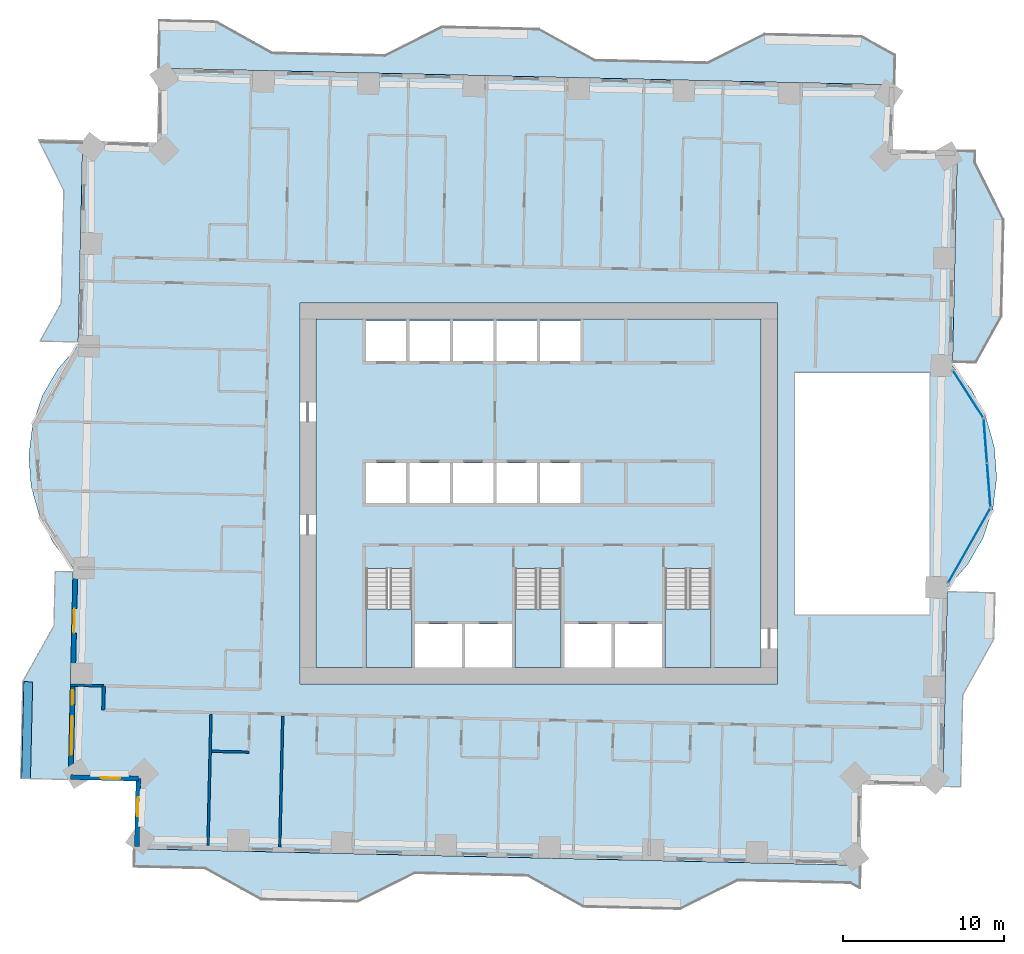
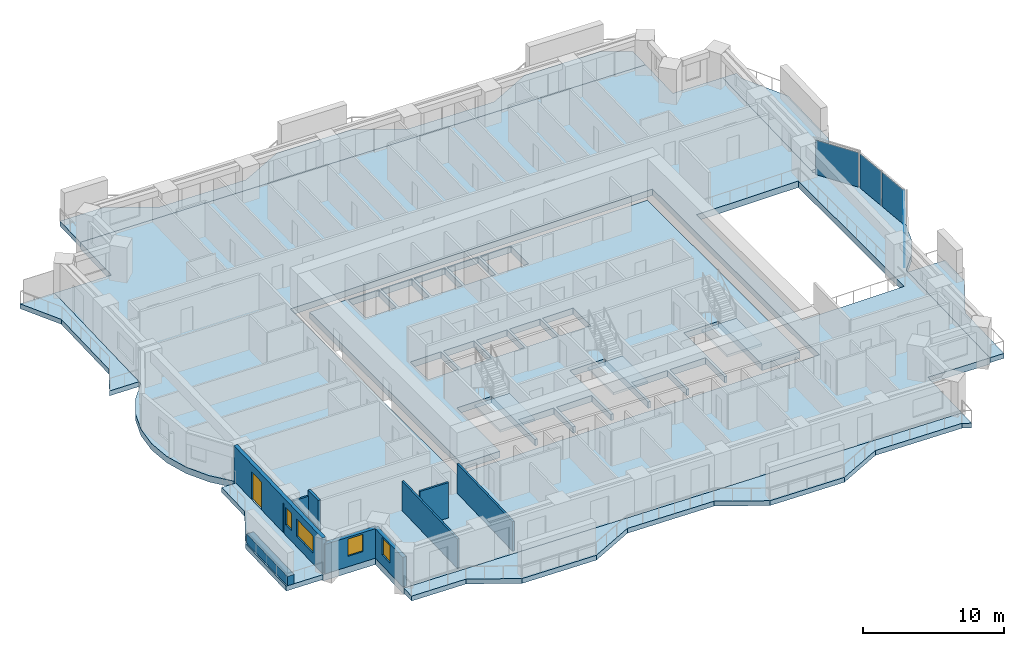
# One storey, part 5 of 16: 11 slabs, 9 walls, 4 plates, 4 windows, 1 door, 5 openings, 6 elements without a shape of their own.
"""IFC4 building model written with IfcOpenShell, lengths in metres."""

from ifc_helpers import new_model, si_unit, direction, frame, frame_2d, origin, origin_2d, place, context, subcontext, project, spatial, polyline, rectangle, outline, extrude, material, layer, layer_set, type_object, element, fill, aggregate, save


model = new_model("IFC4")

# Units and contexts
model_context = context("Model", 3, precision=1e-05, world=origin(), true_north=direction((0.0, 1.0)))
body_context = subcontext(model_context, "Body", "Model", "MODEL_VIEW")
ifc_project = project(units=[si_unit("LENGTHUNIT", "METRE"), si_unit("AREAUNIT", "SQUARE_METRE"), si_unit("VOLUMEUNIT", "CUBIC_METRE"), si_unit("PLANEANGLEUNIT", "RADIAN"), si_unit("MASSUNIT", "GRAM", prefix="KILO")], contexts=[model_context])

# Site, building, storey
site_placement = place(None, origin())
site = spatial("IfcSite", under=ifc_project, at=site_placement, CompositionType="ELEMENT")
building_placement = place(site_placement, origin())
building = spatial("IfcBuilding", under=site, at=building_placement, Name="Mangrove Gate Tower", CompositionType="ELEMENT")
storey_placement = place(building_placement, frame((0.0, 0.0, 112.699951171875)))
storey = spatial("IfcBuildingStorey", under=building, at=storey_placement, Name="L28", CompositionType="ELEMENT", Elevation=112.699951171875)

# Curtain wall, plate
ifc_material_1 = material(Name="Aluminium and glass curtain wall", Category="aluminium")
curtain_wall_type = type_object("IfcCurtainWallType", Name="Atrium garden-court glazing wall", PredefinedType="NOTDEFINED", material=ifc_material_1)
curtain_wall_1_placement = place(storey_placement, origin())
curtain_wall_1 = element("IfcCurtainWall", 1, at=curtain_wall_1_placement, inside=storey, type_object=curtain_wall_type, Name="Atrium garden-court glazing E1f1", PredefinedType="NOTDEFINED")
ifc_material_2 = material(Name="Laminated low-e glass", Category="glass")
ifc_layer_1 = layer(ifc_material_2, 0.031982421875)
ifc_layer_set_1 = layer_set([ifc_layer_1], Name="Atrium garden-court glazing panel 32")
plate_type = type_object("IfcPlateType", Name="Atrium garden-court glazing panel 32", PredefinedType="CURTAIN_PANEL", material=ifc_layer_set_1)
plate_1_placement = place(storey_placement, frame((26.68603515625, -3.244873046875, 0.0), z_axis=(0.0, 0.0, 1.0), x_axis=(0.492584614745, 0.870264555935, 0.0)))
plate_1 = element("IfcPlate", 2, at=plate_1_placement, type_object=plate_type, Name="CWA panel 1.1", PredefinedType="CURTAIN_PANEL", context=body_context, shape_type="SweptSolid", body=[
    extrude(rectangle(XDim=5.258056640625, YDim=0.031982421875, at=origin_2d()), origin(), (0.0, 0.0, 1.0), 2.97998046875),
])
aggregate(curtain_wall_1, [plate_1])

# Curtain wall, plates
curtain_wall_2_placement = place(storey_placement, origin())
curtain_wall_2 = element("IfcCurtainWall", 3, at=curtain_wall_2_placement, inside=storey, type_object=curtain_wall_type, Name="Atrium garden-court glazing E1f2", PredefinedType="NOTDEFINED")
plate_2_placement = place(storey_placement, frame((27.906982421875, 0.5107421875, 0.0), z_axis=(0.0, 0.0, 1.0), x_axis=(-0.077023348229, 0.997029289353, 0.0)))
plate_2 = element("IfcPlate", 4, at=plate_2_placement, type_object=plate_type, Name="CWA panel 1.1", PredefinedType="CURTAIN_PANEL", context=body_context, shape_type="SweptSolid", body=[
    extrude(rectangle(XDim=2.681640625, YDim=0.031982421875, at=origin_2d()), origin(), (0.0, 0.0, 1.0), 2.97998046875),
])
plate_3_placement = place(storey_placement, frame((27.69482421875, 3.25439453125, 0.0), z_axis=(0.0, 0.0, 1.0), x_axis=(-0.077023348229, 0.997029289353, 0.0)))
plate_3 = element("IfcPlate", 5, at=plate_3_placement, type_object=plate_type, Name="CWA panel 2.1", PredefinedType="CURTAIN_PANEL", context=body_context, shape_type="SweptSolid", body=[
    extrude(rectangle(XDim=2.681640625, YDim=0.031982421875, at=origin_2d()), origin(), (0.0, 0.0, 1.0), 2.97998046875),
])
aggregate(curtain_wall_2, [plate_2, plate_3])

# Curtain wall, plate
curtain_wall_3_placement = place(storey_placement, origin())
curtain_wall_3 = element("IfcCurtainWall", 6, at=curtain_wall_3_placement, inside=storey, type_object=curtain_wall_type, Name="Atrium garden-court glazing E1f3", PredefinedType="NOTDEFINED")
plate_4_placement = place(storey_placement, frame((26.621826171875, 6.162109375, 0.0), z_axis=(0.0, 0.0, 1.0), x_axis=(-0.540510523896, 0.841337253162, 0.0)))
plate_4 = element("IfcPlate", 7, at=plate_4_placement, type_object=plate_type, Name="CWA panel 1.1", PredefinedType="CURTAIN_PANEL", context=body_context, shape_type="SweptSolid", body=[
    extrude(rectangle(XDim=3.428466796875, YDim=0.031982421875, at=origin_2d()), origin(), (0.0, 0.0, 1.0), 2.97998046875),
])
aggregate(curtain_wall_3, [plate_4])

# Slabs
ifc_material_3 = material(Name="Porcelain tile")
ifc_layer_2 = layer(ifc_material_3, 0.02001953125, Name="Tile finish")
ifc_material_4 = material(Name="Cement sand screed")
ifc_layer_3 = layer(ifc_material_4, 0.0400390625, Name="Screed laid to falls")
ifc_material_5 = material(Name="Bituminous waterproofing membrane")
ifc_layer_4 = layer(ifc_material_5, 0.00390625, Name="Waterproofing")
ifc_material_6 = material(Name="Concrete C40/50", Category="concrete")
ifc_layer_5 = layer(ifc_material_6, 0.340087890625, Name="Balcony structural slab")
ifc_material_7 = material(Name="Limestone", Category="masonry")
ifc_layer_6 = layer(ifc_material_7, 0.01611328125, Name="Soffit lining")
ifc_layer_set_2 = layer_set([ifc_layer_2, ifc_layer_3, ifc_layer_4, ifc_layer_5, ifc_layer_6], Name="Balcony slab 420 C40/50")
slab_type_1 = type_object("IfcSlabType", Name="Balcony slab 420 C40/50", PredefinedType="FLOOR", material=ifc_layer_set_2)
slab_1_placement = place(storey_placement, frame((0.0, 0.0, -0.419921875)))
element("IfcSlab", 8, at=slab_1_placement, inside=storey, type_object=slab_type_1, Name="BALCONY L28 E0", PredefinedType="FLOOR", context=body_context, shape_type="SweptSolid", body=[
    extrude(outline(polyline([(26.200927734375, -18.18603515625), (26.330078125, -12.487060546875), (28.259033203125, -9.030029296875), (28.324951171875, -6.156005859375), (25.3349609375, -6.087890625), (25.27001953125, -8.9619140625), (25.19091796875, -12.4609375), (25.06103515625, -18.159912109375), (26.200927734375, -18.18603515625)])), origin(), (0.0, 0.0, 1.0), 0.419921875),
])
slab_2_placement = place(storey_placement, frame((0.0, 0.0, -0.419921875)))
element("IfcSlab", 9, at=slab_2_placement, inside=storey, type_object=slab_type_1, Name="BALCONY L28 E1", PredefinedType="FLOOR", context=body_context, shape_type="SweptSolid", body=[
    extrude(outline(polyline([(27.12890625, 8.125), (28.712890625, 10.965087890625), (28.84912109375, 16.962890625), (27.0791015625, 20.50390625), (27.094970703125, 21.2041015625), (25.955078125, 21.22998046875), (25.93896484375, 20.530029296875), (25.860107421875, 17.031005859375), (25.72412109375, 11.032958984375), (25.658935546875, 8.158935546875), (27.12890625, 8.125)])), origin(), (0.0, 0.0, 1.0), 0.419921875),
])
slab_3_placement = place(storey_placement, frame((0.0, 0.0, -0.419921875)))
element("IfcSlab", 10, at=slab_3_placement, inside=storey, type_object=slab_type_1, Name="BALCONY L28 N0", PredefinedType="FLOOR", context=body_context, shape_type="SweptSolid", body=[
    extrude(outline(polyline([(22.090087890625, 27.197021484375), (20.010986328125, 28.35693359375), (14.012939453125, 28.492919921875), (10.471923828125, 26.722900390625), (3.47412109375, 26.881103515625), (0.01708984375, 28.81005859375), (-5.98193359375, 28.946044921875), (-9.52294921875, 27.177001953125), (-16.52099609375, 27.3349609375), (-19.97802734375, 29.263916015625), (-23.48095703125, 29.343994140625), (-23.549072265625, 26.35400390625), (3.447998046875, 25.741943359375), (22.047119140625, 25.320068359375), (22.090087890625, 27.197021484375)])), origin(), (0.0, 0.0, 1.0), 0.419921875),
])
slab_4_placement = place(storey_placement, frame((0.0, 0.0, -0.419921875)))
element("IfcSlab", 11, at=slab_4_placement, inside=storey, type_object=slab_type_1, Name="BALCONY L28 W0", PredefinedType="FLOOR", context=body_context, shape_type="SweptSolid", body=[
    extrude(outline(polyline([(-31.030029296875, 21.923095703125), (-29.4619140625, 18.787109375), (-29.62109375, 11.7880859375), (-30.929931640625, 9.443115234375), (-28.534912109375, 9.387939453125), (-28.48095703125, 11.761962890625), (-28.322998046875, 18.760986328125), (-28.251953125, 21.860107421875), (-31.030029296875, 21.923095703125)])), origin(), (0.0, 0.0, 1.0), 0.419921875),
])
slab_5_placement = place(storey_placement, frame((0.0, 0.0, -0.419921875)))
element("IfcSlab", 12, at=slab_5_placement, inside=storey, type_object=slab_type_1, Name="BALCONY L28 W1", PredefinedType="FLOOR", context=body_context, shape_type="SweptSolid", body=[
    extrude(outline(polyline([(-29.998046875, -4.8330078125), (-30.074951171875, -8.20703125), (-32.00390625, -11.6640625), (-32.139892578125, -17.662109375), (-29.15087890625, -17.72998046875), (-29.014892578125, -11.73095703125), (-28.93505859375, -8.23193359375), (-28.85888671875, -4.85888671875), (-29.998046875, -4.8330078125)])), origin(), (0.0, 0.0, 1.0), 0.419921875),
])
slab_6_placement = place(storey_placement, frame((0.0, 0.0, -0.419921875)))
element("IfcSlab", 13, at=slab_6_placement, inside=storey, type_object=slab_type_1, Name="BALCONY L28 S0", PredefinedType="FLOOR", context=body_context, shape_type="SweptSolid", body=[
    extrude(outline(polyline([(-25.072998046875, -23.1640625), (-20.669921875, -23.263916015625), (-17.212890625, -25.193115234375), (-11.215087890625, -25.3291015625), (-7.673095703125, -23.55908203125), (-2.574951171875, -23.674072265625), (-0.675048828125, -23.718017578125), (2.781982421875, -25.64599609375), (8.780029296875, -25.782958984375), (12.321044921875, -24.012939453125), (19.320068359375, -24.1708984375), (19.916015625, -24.50390625), (19.948974609375, -23.044921875), (-25.047119140625, -22.02392578125), (-25.072998046875, -23.1640625)])), origin(), (0.0, 0.0, 1.0), 0.419921875),
])
ifc_material_8 = material(Name="Concrete C40/50", Category="concrete")
ifc_layer_7 = layer(ifc_material_8, 0.550048828125)
ifc_layer_set_3 = layer_set([ifc_layer_7], Name="Core floor slab 550 C40/50")
slab_type_2 = type_object("IfcSlabType", Name="Core floor slab 550 C40/50", PredefinedType="FLOOR", material=ifc_layer_set_3)
slab_7_placement = place(storey_placement, frame((0.0, 0.0, -0.550048828125)))
element("IfcSlab", 14, at=slab_7_placement, inside=storey, type_object=slab_type_2, Name="SLAB-L28-CORE-1", PredefinedType="FLOOR", context=body_context, shape_type="SweptSolid", body=[
    extrude(outline(polyline([(-13.800048828125, -10.800048828125), (-13.800048828125, 10.800048828125), (13.800048828125, 10.800048828125), (13.800048828125, -10.800048828125), (10.699951171875, -10.800048828125), (10.699951171875, -4.653076171875), (7.85009765625, -4.653076171875), (7.85009765625, -10.800048828125), (7.64990234375, -10.800048828125), (7.64990234375, -8.10009765625), (4.72509765625, -8.10009765625), (4.72509765625, -10.800048828125), (4.52490234375, -10.800048828125), (4.52490234375, -8.10009765625), (1.60009765625, -8.10009765625), (1.60009765625, -10.800048828125), (1.39990234375, -10.800048828125), (1.39990234375, -4.653076171875), (-1.449951171875, -4.653076171875), (-1.449951171875, -10.800048828125), (-1.64990234375, -10.800048828125), (-1.64990234375, -8.10009765625), (-4.550048828125, -8.10009765625), (-4.550048828125, -10.800048828125), (-4.75, -10.800048828125), (-4.75, -8.10009765625), (-7.64990234375, -8.10009765625), (-7.64990234375, -10.800048828125), (-7.85009765625, -10.800048828125), (-7.85009765625, -4.653076171875), (-10.699951171875, -4.653076171875), (-10.699951171875, -10.800048828125), (-13.800048828125, -10.800048828125)]), holes=[polyline([(-8.199951171875, -0.60009765625), (-8.199951171875, 1.89990234375), (-10.699951171875, 1.89990234375), (-10.699951171875, -0.60009765625), (-8.199951171875, -0.60009765625)]), polyline([(-5.5, -0.60009765625), (-5.5, 1.89990234375), (-8.0, 1.89990234375), (-8.0, -0.60009765625), (-5.5, -0.60009765625)]), polyline([(-2.800048828125, -0.60009765625), (-2.800048828125, 1.89990234375), (-5.300048828125, 1.89990234375), (-5.300048828125, -0.60009765625), (-2.800048828125, -0.60009765625)]), polyline([(-8.199951171875, 8.199951171875), (-8.199951171875, 10.699951171875), (-10.699951171875, 10.699951171875), (-10.699951171875, 8.199951171875), (-8.199951171875, 8.199951171875)]), polyline([(-5.5, 8.199951171875), (-5.5, 10.699951171875), (-8.0, 10.699951171875), (-8.0, 8.199951171875), (-5.5, 8.199951171875)]), polyline([(-2.800048828125, 8.199951171875), (-2.800048828125, 10.699951171875), (-5.300048828125, 10.699951171875), (-5.300048828125, 8.199951171875), (-2.800048828125, 8.199951171875)]), polyline([(-0.10009765625, -0.60009765625), (-0.10009765625, 1.89990234375), (-2.60009765625, 1.89990234375), (-2.60009765625, -0.60009765625), (-0.10009765625, -0.60009765625)]), polyline([(2.60009765625, -0.60009765625), (2.60009765625, 1.89990234375), (0.10009765625, 1.89990234375), (0.10009765625, -0.60009765625), (2.60009765625, -0.60009765625)]), polyline([(-2.60009765625, 8.199951171875), (-0.10009765625, 8.199951171875), (-0.10009765625, 10.699951171875), (-2.60009765625, 10.699951171875), (-2.60009765625, 8.199951171875)]), polyline([(0.10009765625, 8.199951171875), (2.60009765625, 8.199951171875), (2.60009765625, 10.699951171875), (0.10009765625, 10.699951171875), (0.10009765625, 8.199951171875)])]), origin(), (0.0, 0.0, 1.0), 0.550048828125),
])

# Stair, slab
ifc_material_9 = material(Name="Concrete C40/50", Category="concrete")
stair_type = type_object("IfcStairType", Name="Core stair 1350", PredefinedType="HALF_TURN_STAIR", material=ifc_material_9)
stair_1_placement = place(storey_placement, origin())
stair_1 = element("IfcStair", 15, at=stair_1_placement, inside=storey, type_object=stair_type, Name="L28 Stair 1", PredefinedType="HALF_TURN_STAIR")
ifc_material_10 = material(Name="Concrete C40/50", Category="concrete")
ifc_layer_8 = layer(ifc_material_10, 0.199951171875)
ifc_layer_set_4 = layer_set([ifc_layer_8], Name="Core stair landing 200")
slab_type_3 = type_object("IfcSlabType", Name="Core stair landing 200", PredefinedType="LANDING", material=ifc_layer_set_4)
slab_8_placement = place(storey_placement, frame((0.0, 0.0, 1.60009765625)))
slab_8 = element("IfcSlab", 16, at=slab_8_placement, type_object=slab_type_3, Name="ST1 landing 1", PredefinedType="LANDING", context=body_context, shape_type="SweptSolid", body=[
    extrude(outline(polyline([(-10.699951171875, -7.169921875), (-10.699951171875, -10.800048828125), (-7.85009765625, -10.800048828125), (-7.85009765625, -7.169921875), (-10.699951171875, -7.169921875)])), origin(), (0.0, 0.0, 1.0), 0.199951171875),
])
aggregate(stair_1, [slab_8])

stair_2_placement = place(storey_placement, origin())
stair_2 = element("IfcStair", 17, at=stair_2_placement, inside=storey, type_object=stair_type, Name="L28 Stair 2", PredefinedType="HALF_TURN_STAIR")
slab_9_placement = place(storey_placement, frame((0.0, 0.0, 1.60009765625)))
slab_9 = element("IfcSlab", 18, at=slab_9_placement, type_object=slab_type_3, Name="ST2 landing 1", PredefinedType="LANDING", context=body_context, shape_type="SweptSolid", body=[
    extrude(outline(polyline([(-1.449951171875, -7.169921875), (-1.449951171875, -10.800048828125), (1.39990234375, -10.800048828125), (1.39990234375, -7.169921875), (-1.449951171875, -7.169921875)])), origin(), (0.0, 0.0, 1.0), 0.199951171875),
])
aggregate(stair_2, [slab_9])

stair_3_placement = place(storey_placement, origin())
stair_3 = element("IfcStair", 19, at=stair_3_placement, inside=storey, type_object=stair_type, Name="L28 Stair 3", PredefinedType="HALF_TURN_STAIR")
slab_10_placement = place(storey_placement, frame((0.0, 0.0, 1.60009765625)))
slab_10 = element("IfcSlab", 20, at=slab_10_placement, type_object=slab_type_3, Name="ST3 landing 1", PredefinedType="LANDING", context=body_context, shape_type="SweptSolid", body=[
    extrude(outline(polyline([(7.85009765625, -7.169921875), (7.85009765625, -10.800048828125), (10.699951171875, -10.800048828125), (10.699951171875, -7.169921875), (7.85009765625, -7.169921875)])), origin(), (0.0, 0.0, 1.0), 0.199951171875),
])
aggregate(stair_3, [slab_10])

# Slab
ifc_material_11 = material(Name="Concrete C40/50", Category="concrete")
ifc_layer_9 = layer(ifc_material_11, 0.550048828125)
ifc_layer_set_5 = layer_set([ifc_layer_9], Name="Floor slab 550 C40/50")
slab_type_4 = type_object("IfcSlabType", Name="Floor slab 550 C40/50", PredefinedType="FLOOR", material=ifc_layer_set_5)
slab_11_placement = place(storey_placement, frame((0.0, 0.0, -0.550048828125)))
element("IfcSlab", 21, at=slab_11_placement, inside=storey, type_object=slab_type_4, Name="Floor slab L28", PredefinedType="FLOOR", context=body_context, shape_type="SweptSolid", body=[
    extrude(outline(polyline([(-25.047119140625, -22.024169921875), (19.94921875, -23.045166015625), (20.062744140625, -18.046630859375), (25.0615234375, -18.159912109375), (25.341064453125, -5.83837890625), (26.60400390625, -4.40185546875), (27.55712890625, -2.74365234375), (28.16259765625, -0.92919921875), (28.396240234375, 0.96923828125), (28.2490234375, 2.87646484375), (27.7265625, 4.71630859375), (26.849609375, 6.416259765625), (25.653076171875, 7.90869140625), (25.955322265625, 21.22998046875), (21.956298828125, 21.320556640625), (22.047119140625, 25.319580078125), (-23.549072265625, 26.354248046875), (-23.653564453125, 21.755615234375), (-28.25244140625, 21.85986328125), (-28.541015625, 9.138427734375), (-29.803955078125, 7.701904296875), (-30.757080078125, 6.043701171875), (-31.362548828125, 4.229248046875), (-31.59619140625, 2.330810546875), (-31.448974609375, 0.423583984375), (-30.926513671875, -1.41650390625), (-30.049560546875, -3.1162109375), (-28.85302734375, -4.608642578125), (-29.15087890625, -17.72998046875), (-24.951904296875, -17.8251953125), (-25.047119140625, -22.024169921875)]), holes=[polyline([(15.89990234375, 7.5), (24.22705078125, 7.5), (24.22705078125, -7.5), (15.89990234375, -7.5), (15.89990234375, 7.5)]), polyline([(-14.800048828125, -11.800048828125), (-14.800048828125, 11.800048828125), (14.800048828125, 11.800048828125), (14.800048828125, -11.800048828125), (-14.800048828125, -11.800048828125)])]), origin(), (0.0, 0.0, 1.0), 0.550048828125),
])

# Wall
ifc_material_12 = material(Name="Gypsum board on steel stud, EI 60", Category="steel")
ifc_layer_10 = layer(ifc_material_12, 0.199951171875)
ifc_layer_set_6 = layer_set([ifc_layer_10], Name="Corridor wall EI 60")
wall_type_1 = type_object("IfcWallType", Name="Corridor wall EI 60", PredefinedType="PARTITIONING", material=ifc_layer_set_6)
wall_1_placement = place(storey_placement, frame((-26.97900390625, -13.427978515625, 0.0), z_axis=(0.0, 0.0, 1.0), x_axis=(0.022617910375, 0.999744182344, 0.0)))
element("IfcWall", 22, at=wall_1_placement, inside=storey, type_object=wall_type_1, Name="WALL-L28-025", PredefinedType="PARTITIONING", context=body_context, shape_type="SweptSolid", body=[
    extrude(rectangle(XDim=1.50048828125, YDim=0.199951171875, at=frame_2d((0.750244140625, 0.0))), origin(), (0.0, 0.0, 1.0), 3.050048828125),
])

# Wall, openings, door, windows
ifc_layer_11 = layer(ifc_material_7, 0.0400390625, Name="Limestone cladding")
ifc_material_13 = material(Name="Ventilated air gap")
ifc_layer_12 = layer(ifc_material_13, 0.0400390625, Name="Ventilated cavity")
ifc_material_14 = material(Name="Mineral wool insulation")
ifc_layer_13 = layer(ifc_material_14, 0.06005859375, Name="Insulation")
ifc_material_15 = material(Name="Breather membrane")
ifc_layer_14 = layer(ifc_material_15, 0.001953125, Name="Breather membrane")
ifc_material_16 = material(Name="Concrete C20/25 blockwork", Category="masonry")
ifc_layer_15 = layer(ifc_material_16, 0.14990234375, Name="Blockwork backing wall")
ifc_material_17 = material(Name="Gypsum plaster")
ifc_layer_16 = layer(ifc_material_17, 0.008056640625, Name="Internal plaster")
ifc_layer_set_7 = layer_set([ifc_layer_11, ifc_layer_12, ifc_layer_13, ifc_layer_14, ifc_layer_15, ifc_layer_16], Name="External wall 300 limestone cladding")
wall_type_2 = type_object("IfcWallType", Name="External wall 300 limestone cladding", PredefinedType="SOLIDWALL", material=ifc_layer_set_7)
wall_2_placement = place(storey_placement, frame((-28.701904296875, -4.556884765625, 0.0), z_axis=(0.0, 0.0, 1.0), x_axis=(-0.022653729471, -0.999743371341, 0.0)))
wall_2 = element("IfcWall", 23, at=wall_2_placement, inside=storey, type_object=wall_type_2, Name="WALL-L28-W10", PredefinedType="SOLIDWALL", context=body_context, shape_type="SweptSolid", body=[
    extrude(rectangle(XDim=13.029541015625, YDim=0.300048828125, at=frame_2d((6.5146484375, 0.0))), origin(), (0.0, 0.0, 1.0), 3.050048828125),
])
opening_1_placement = place(wall_2_placement, frame((2.5859375, 0.0, 0.0)))
opening_1 = element("IfcOpeningElement", 24, at=opening_1_placement, cuts=wall_2, Name="Opening BD1", PredefinedType="OPENING", context=body_context, shape_type="SweptSolid", body=[
    extrude(rectangle(XDim=1.5, YDim=2.39990234375, at=frame_2d((0.75, 1.199951171875))), frame((0.0, 0.159912109375, 0.0), z_axis=(0.0, -1.0, 0.0), x_axis=(1.0, 0.0, 0.0)), (0.0, 0.0, 1.0), 0.320068359375),
])
opening_2_placement = place(wall_2_placement, frame((7.62890625, 0.0, 0.89990234375)))
opening_2 = element("IfcOpeningElement", 25, at=opening_2_placement, cuts=wall_2, Name="Opening W5", PredefinedType="OPENING", context=body_context, shape_type="SweptSolid", body=[
    extrude(rectangle(XDim=0.89990234375, YDim=1.5, at=frame_2d((0.449951171875, 0.75))), frame((0.0, 0.159912109375, 0.0), z_axis=(0.0, -1.0, 0.0), x_axis=(1.0, 0.0, 0.0)), (0.0, 0.0, 1.0), 0.320068359375),
])
opening_3_placement = place(wall_2_placement, frame((9.256103515625, 0.0, 0.89990234375)))
opening_3 = element("IfcOpeningElement", 26, at=opening_3_placement, cuts=wall_2, Name="Opening W2", PredefinedType="OPENING", context=body_context, shape_type="SweptSolid", body=[
    extrude(rectangle(XDim=2.39990234375, YDim=1.5, at=frame_2d((1.199951171875, 0.75))), frame((0.0, 0.159912109375, 0.0), z_axis=(0.0, -1.0, 0.0), x_axis=(1.0, 0.0, 0.0)), (0.0, 0.0, 1.0), 0.320068359375),
])
ifc_material_18 = material(Name="Aluminium frame with laminated clear glass", Category="aluminium")
door_type = type_object("IfcDoorType", Name="Balcony sliding door 1500x2400", OperationType="SLIDING_TO_LEFT", PredefinedType="DOOR", material=ifc_material_18)
door_placement = place(opening_1_placement, origin())
door = element("IfcDoor", 27, at=door_placement, inside=storey, type_object=door_type, Name="DOOR-L28-W10-1", OperationType="SLIDING_TO_LEFT", OverallHeight=2.39990234375, OverallWidth=1.5, PredefinedType="DOOR", context=body_context, shape_type="SweptSolid", body=[
    extrude(rectangle(XDim=1.5, YDim=2.39990234375, at=frame_2d((0.75, 1.199951171875))), frame((0.0, 0.02490234375, 0.0), z_axis=(0.0, -1.0, 0.0), x_axis=(1.0, 0.0, 0.0)), (0.0, 0.0, 1.0), 0.050048828125),
])
fill(opening_1, door)
ifc_material_19 = material(Name="Aluminium frame with double-glazed low-e glass", Category="aluminium")
window_type_1 = type_object("IfcWindowType", Name="Corner room window 2400x1500", PartitioningType="DOUBLE_PANEL_VERTICAL", PredefinedType="WINDOW", material=ifc_material_19)
window_1_placement = place(opening_3_placement, origin())
window_1 = element("IfcWindow", 28, at=window_1_placement, inside=storey, type_object=window_type_1, Name="WIN-L28-W10-3", OverallHeight=1.5, OverallWidth=2.39990234375, PartitioningType="DOUBLE_PANEL_VERTICAL", PredefinedType="WINDOW", context=body_context, shape_type="SweptSolid", body=[
    extrude(rectangle(XDim=2.39990234375, YDim=1.5, at=frame_2d((1.199951171875, 0.75))), frame((0.0, 0.030029296875, 0.0), z_axis=(0.0, -1.0, 0.0), x_axis=(1.0, 0.0, 0.0)), (0.0, 0.0, 1.0), 0.06005859375),
])
fill(opening_3, window_1)
ifc_material_20 = material(Name="Aluminium frame with double-glazed low-e glass", Category="aluminium")
window_type_2 = type_object("IfcWindowType", Name="Narrow window 900x1500", PartitioningType="SINGLE_PANEL", PredefinedType="WINDOW", material=ifc_material_20)
window_2_placement = place(opening_2_placement, origin())
window_2 = element("IfcWindow", 29, at=window_2_placement, inside=storey, type_object=window_type_2, Name="WIN-L28-W10-2", OverallHeight=1.5, OverallWidth=0.89990234375, PartitioningType="SINGLE_PANEL", PredefinedType="WINDOW", context=body_context, shape_type="SweptSolid", body=[
    extrude(rectangle(XDim=0.89990234375, YDim=1.5, at=frame_2d((0.449951171875, 0.75))), frame((0.0, 0.030029296875, 0.0), z_axis=(0.0, -1.0, 0.0), x_axis=(1.0, 0.0, 0.0)), (0.0, 0.0, 1.0), 0.06005859375),
])
fill(opening_2, window_2)

# Wall, opening, window
wall_3_placement = place(storey_placement, frame((-28.9970703125, -17.5830078125, 0.0), z_axis=(0.0, 0.0, 1.0), x_axis=(0.999739037152, -0.022844202663, 0.0)))
wall_3 = element("IfcWall", 30, at=wall_3_placement, inside=storey, type_object=wall_type_2, Name="WALL-L28-S11", PredefinedType="SOLIDWALL", context=body_context, shape_type="SweptSolid", body=[
    extrude(rectangle(XDim=4.199951171875, YDim=0.300048828125, at=frame_2d((2.10009765625, 0.0))), origin(), (0.0, 0.0, 1.0), 2.550048828125),
])
opening_4_placement = place(wall_3_placement, frame((1.862060546875, 0.0, 0.89990234375)))
opening_4 = element("IfcOpeningElement", 31, at=opening_4_placement, cuts=wall_3, Name="Opening W1", PredefinedType="OPENING", context=body_context, shape_type="SweptSolid", body=[
    extrude(rectangle(XDim=1.199951171875, YDim=1.5, at=frame_2d((0.60009765625, 0.75))), frame((0.0, 0.159912109375, 0.0), z_axis=(0.0, -1.0, 0.0), x_axis=(1.0, 0.0, 0.0)), (0.0, 0.0, 1.0), 0.320068359375),
])
ifc_material_21 = material(Name="Aluminium frame with double-glazed low-e glass", Category="aluminium")
window_type_3 = type_object("IfcWindowType", Name="Side lite 1200x1500", PartitioningType="SINGLE_PANEL", PredefinedType="WINDOW", material=ifc_material_21)
window_3_placement = place(opening_4_placement, origin())
window_3 = element("IfcWindow", 32, at=window_3_placement, inside=storey, type_object=window_type_3, Name="WIN-L28-S11-1", OverallHeight=1.5, OverallWidth=1.199951171875, PartitioningType="SINGLE_PANEL", PredefinedType="WINDOW", context=body_context, shape_type="SweptSolid", body=[
    extrude(rectangle(XDim=1.199951171875, YDim=1.5, at=frame_2d((0.60009765625, 0.75))), frame((0.0, 0.030029296875, 0.0), z_axis=(0.0, -1.0, 0.0), x_axis=(1.0, 0.0, 0.0)), (0.0, 0.0, 1.0), 0.06005859375),
])
fill(opening_4, window_3)

wall_4_placement = place(storey_placement, frame((-24.798095703125, -17.678955078125, 0.0), z_axis=(0.0, 0.0, 1.0), x_axis=(-0.022844202663, -0.999739037152, 0.0)))
wall_4 = element("IfcWall", 33, at=wall_4_placement, inside=storey, type_object=wall_type_2, Name="WALL-L28-W12", PredefinedType="SOLIDWALL", context=body_context, shape_type="SweptSolid", body=[
    extrude(rectangle(XDim=4.199951171875, YDim=0.300048828125, at=frame_2d((2.10009765625, 0.0))), origin(), (0.0, 0.0, 1.0), 2.550048828125),
])
opening_5_placement = place(wall_4_placement, frame((1.138916015625, 0.0, 0.89990234375)))
opening_5 = element("IfcOpeningElement", 34, at=opening_5_placement, cuts=wall_4, Name="Opening W1", PredefinedType="OPENING", context=body_context, shape_type="SweptSolid", body=[
    extrude(rectangle(XDim=1.199951171875, YDim=1.5, at=frame_2d((0.60009765625, 0.75))), frame((0.0, 0.159912109375, 0.0), z_axis=(0.0, -1.0, 0.0), x_axis=(1.0, 0.0, 0.0)), (0.0, 0.0, 1.0), 0.320068359375),
])
window_4_placement = place(opening_5_placement, origin())
window_4 = element("IfcWindow", 35, at=window_4_placement, inside=storey, type_object=window_type_3, Name="WIN-L28-W12-1", OverallHeight=1.5, OverallWidth=1.199951171875, PartitioningType="SINGLE_PANEL", PredefinedType="WINDOW", context=body_context, shape_type="SweptSolid", body=[
    extrude(rectangle(XDim=1.199951171875, YDim=1.5, at=frame_2d((0.60009765625, 0.75))), frame((0.0, 0.030029296875, 0.0), z_axis=(0.0, -1.0, 0.0), x_axis=(1.0, 0.0, 0.0)), (0.0, 0.0, 1.0), 0.06005859375),
])
fill(opening_5, window_4)

# Walls
ifc_material_22 = material(Name="Gypsum board on steel stud, EI 60", Category="steel")
ifc_layer_17 = layer(ifc_material_22, 0.14990234375)
ifc_layer_set_8 = layer_set([ifc_layer_17], Name="Party wall 150 EI 60")
wall_type_3 = type_object("IfcWallType", Name="Party wall 150 EI 60", PredefinedType="PARTITIONING", material=ifc_layer_set_8)
for number, where, z_axis, x_axis, name in (
    (36, (-20.488037109375, -21.827880859375, 0.0), (0.0, 0.0, 1.0), (0.022706435224, 0.999742175663, 0.0), "WALL-L28-001"),
    (37, (-16.0390625, -21.928955078125, 0.0), (0.0, 0.0, 1.0), (0.022706435224, 0.999742175663, 0.0), "WALL-L28-002"),
):
    element("IfcWall", number, at=place(storey_placement, frame(where, z_axis=z_axis, x_axis=x_axis)), inside=storey, type_object=wall_type_3, Name=name, PredefinedType="PARTITIONING", context=body_context, shape_type="SweptSolid", body=[
        extrude(rectangle(XDim=8.150146484375, YDim=0.14990234375, at=frame_2d((4.0751953125, 0.0))), origin(), (0.0, 0.0, 1.0), 2.550048828125),
    ])
wall_5_placement = place(storey_placement, frame((-20.283935546875, -15.98095703125, 0.0), z_axis=(0.0, 0.0, 1.0), x_axis=(0.999749954681, -0.022361308448, 0.0)))
element("IfcWall", 38, at=wall_5_placement, inside=storey, type_object=wall_type_3, Name="WALL-L28-010", PredefinedType="PARTITIONING", context=body_context, shape_type="SweptSolid", body=[
    extrude(rectangle(XDim=2.325439453125, YDim=0.14990234375, at=frame_2d((1.16259765625, 0.0))), origin(), (0.0, 0.0, 1.0), 3.050048828125),
])
wall_6_placement = place(storey_placement, frame((-29.01806640625, -11.881103515625, 0.0), z_axis=(0.0, 0.0, 1.0), x_axis=(0.999734999765, -0.02302021381, 0.0)))
element("IfcWall", 39, at=wall_6_placement, inside=storey, type_object=wall_type_3, Name="WALL-L28-028", PredefinedType="PARTITIONING", context=body_context, shape_type="SweptSolid", body=[
    extrude(rectangle(XDim=2.07861328125, YDim=0.14990234375, at=frame_2d((1.039306640625, 0.0))), origin(), (0.0, 0.0, 1.0), 2.550048828125),
])
ifc_material_23 = material(Name="Concrete C32/40", Category="concrete")
ifc_layer_18 = layer(ifc_material_23, 0.199951171875, Name="Planter trough wall")
ifc_layer_19 = layer(ifc_material_5, 0.0048828125, Name="Waterproofing")
ifc_material_24 = material(Name="Drainage board and gravel")
ifc_layer_20 = layer(ifc_material_24, 0.044921875, Name="Drainage layer")
ifc_material_25 = material(Name="Planting soil")
ifc_layer_21 = layer(ifc_material_25, 0.300048828125, Name="Growing medium")
ifc_layer_set_9 = layer_set([ifc_layer_18, ifc_layer_19, ifc_layer_20, ifc_layer_21], Name="Planter wall 550 C32/40")
wall_type_4 = type_object("IfcWallType", Name="Planter wall 550 C32/40", PredefinedType="USERDEFINED", material=ifc_layer_set_9)
wall_7_placement = place(storey_placement, frame((-31.764892578125, -17.669921875, 0.0), z_axis=(0.0, 0.0, 1.0), x_axis=(0.022666865795, 0.999743073592, 0.0)))
element("IfcWall", 40, at=wall_7_placement, inside=storey, type_object=wall_type_4, Name="PLANTER L28 W1.1", ObjectType="PLANTER", PredefinedType="USERDEFINED", context=body_context, shape_type="SweptSolid", body=[
    extrude(rectangle(XDim=5.999267578125, YDim=0.550048828125, at=frame_2d((2.99951171875, 0.0))), origin(), (0.0, 0.0, 1.0), 0.800048828125),
])

save(model, "model.ifc")
